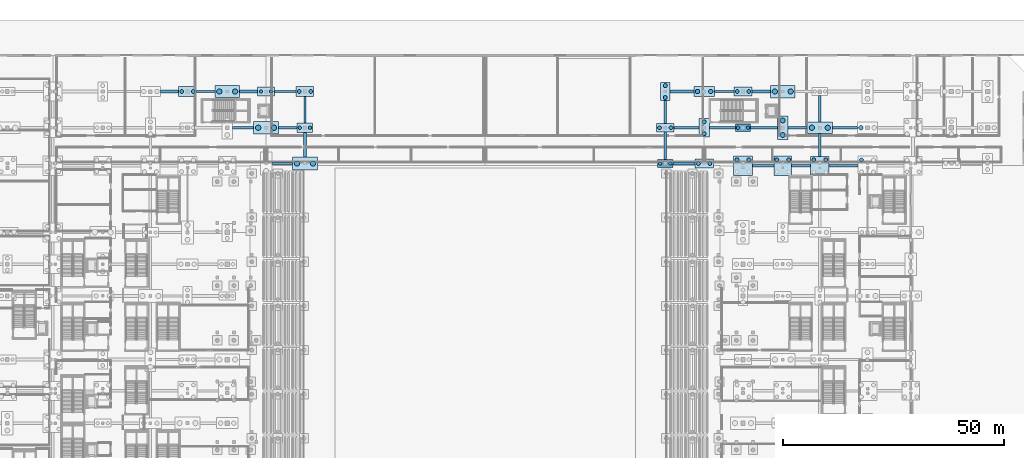
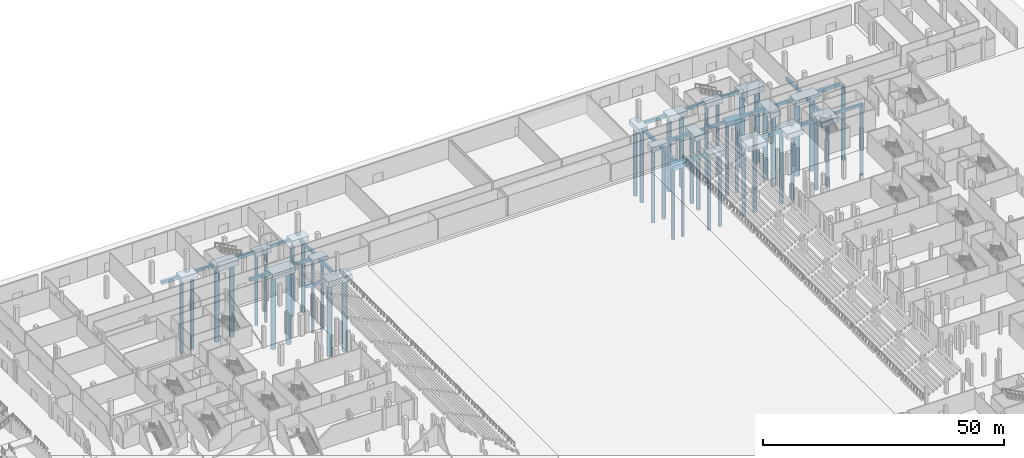
# One storey, part 13 of 89: 46 footings, 44 piles.
"""IFC4 building model written with IfcOpenShell, lengths in metres."""

from ifc_helpers import new_model, si_unit, direction, frame, origin, origin_2d, place, context, subcontext, project, spatial, rectangle, circle, extrude, material, material_profile, profile_set, type_object, element, save


model = new_model("IFC4")

# Units and contexts
model_context = context("Model", 3, precision=1e-05, world=origin(), true_north=direction((0.0, 1.0)))
body_context = subcontext(model_context, "Body", "Model", "MODEL_VIEW")
ifc_project = project(units=[si_unit("LENGTHUNIT", "METRE"), si_unit("AREAUNIT", "SQUARE_METRE"), si_unit("VOLUMEUNIT", "CUBIC_METRE"), si_unit("PLANEANGLEUNIT", "RADIAN"), si_unit("MASSUNIT", "GRAM", prefix="KILO")], contexts=[model_context])

# Site, building, storey
site_placement = place(None, origin())
site = spatial("IfcSite", under=ifc_project, at=site_placement, CompositionType="ELEMENT")
building_placement = place(site_placement, origin())
building = spatial("IfcBuilding", under=site, at=building_placement, Name="Koshinbarg Plaza Stadium", CompositionType="ELEMENT")
storey_placement = place(building_placement, origin())
storey = spatial("IfcBuildingStorey", under=building, at=storey_placement, Name="L00", CompositionType="ELEMENT", Elevation=0.0)

# Footings
ifc_material = material(Name="Concrete C35/45", Category="concrete")
ifc_material_profile_1 = material_profile(ifc_material, rectangle(XDim=0.5, YDim=0.699951171875, at=origin_2d()), Name="GB 500x700")
ifc_profile_set_1 = profile_set([ifc_material_profile_1], Name="Concrete C35/45")
footing_type_1 = type_object("IfcFootingType", Name="FT-GB-01", PredefinedType="FOOTING_BEAM", material=ifc_profile_set_1)
footing_1_placement = place(storey_placement, frame((182.56005859375, 127.0, -0.800048828125), z_axis=(1.0, 0.0, 0.0), x_axis=(0.0, 1.0, 0.0)))
element("IfcFooting", 1, at=footing_1_placement, inside=storey, type_object=footing_type_1, Name="Ground footing beam GB-X-151", PredefinedType="FOOTING_BEAM", context=body_context, shape_type="SweptSolid", body=[
    extrude(rectangle(XDim=0.5, YDim=0.699951171875, at=origin_2d()), origin(), (0.0, 0.0, 1.0), 4.83984375),
])
footing_2_placement = place(storey_placement, frame((199.919921875, 127.0, -0.800048828125), z_axis=(1.0, 0.0, 0.0), x_axis=(0.0, 1.0, 0.0)))
element("IfcFooting", 2, at=footing_2_placement, inside=storey, type_object=footing_type_1, Name="Ground footing beam GB-X-153", PredefinedType="FOOTING_BEAM", context=body_context, shape_type="SweptSolid", body=[
    extrude(rectangle(XDim=0.5, YDim=0.699951171875, at=origin_2d()), origin(), (0.0, 0.0, 1.0), 6.52001953125),
])
footing_3_placement = place(storey_placement, frame((73.679931640625, 127.5, -0.75), z_axis=(1.0, 0.0, 0.0), x_axis=(0.0, 1.0, 0.0)))
element("IfcFooting", 3, at=footing_3_placement, inside=storey, type_object=footing_type_1, Name="Ground footing beam GB-X-155", PredefinedType="FOOTING_BEAM", context=body_context, shape_type="SweptSolid", body=[
    extrude(rectangle(XDim=0.5, YDim=0.699951171875, at=origin_2d()), origin(), (0.0, 0.0, 1.0), 4.66015625),
])
footing_4_placement = place(storey_placement, frame((75.219970703125, 135.60009765625, -0.75), z_axis=(1.0, 0.0, 0.0), x_axis=(0.0, 1.0, 0.0)))
element("IfcFooting", 4, at=footing_4_placement, inside=storey, type_object=footing_type_1, Name="Ground footing beam GB-X-165", PredefinedType="FOOTING_BEAM", context=body_context, shape_type="SweptSolid", body=[
    extrude(rectangle(XDim=0.5, YDim=0.699951171875, at=origin_2d()), origin(), (0.0, 0.0, 1.0), 4.22998046875),
])
footing_5_placement = place(storey_placement, frame((172.760009765625, 135.60009765625, -0.75), z_axis=(1.0, 0.0, 0.0), x_axis=(0.0, 1.0, 0.0)))
element("IfcFooting", 5, at=footing_5_placement, inside=storey, type_object=footing_type_1, Name="Ground footing beam GB-X-167", PredefinedType="FOOTING_BEAM", context=body_context, shape_type="SweptSolid", body=[
    extrude(rectangle(XDim=0.5, YDim=0.699951171875, at=origin_2d()), origin(), (0.0, 0.0, 1.0), 5.889892578125),
])
footing_6_placement = place(storey_placement, frame((190.639892578125, 135.60009765625, -0.75), z_axis=(1.0, 0.0, 0.0), x_axis=(0.0, 1.0, 0.0)))
element("IfcFooting", 6, at=footing_6_placement, inside=storey, type_object=footing_type_1, Name="Ground footing beam GB-X-169", PredefinedType="FOOTING_BEAM", context=body_context, shape_type="SweptSolid", body=[
    extrude(rectangle(XDim=0.5, YDim=0.699951171875, at=origin_2d()), origin(), (0.0, 0.0, 1.0), 4.300048828125),
])
footing_7_placement = place(storey_placement, frame((56.590087890625, 143.800048828125, -0.75), z_axis=(1.0, 0.0, 0.0), x_axis=(0.0, 1.0, 0.0)))
element("IfcFooting", 7, at=footing_7_placement, inside=storey, type_object=footing_type_1, Name="Ground footing beam GB-X-179", PredefinedType="FOOTING_BEAM", context=body_context, shape_type="SweptSolid", body=[
    extrude(rectangle(XDim=0.5, YDim=0.699951171875, at=origin_2d()), origin(), (0.0, 0.0, 1.0), 4.22998046875),
])
footing_8_placement = place(storey_placement, frame((74.31005859375, 143.800048828125, -0.75), z_axis=(1.0, 0.0, 0.0), x_axis=(0.0, 1.0, 0.0)))
element("IfcFooting", 8, at=footing_8_placement, inside=storey, type_object=footing_type_1, Name="Ground footing beam GB-X-181", PredefinedType="FOOTING_BEAM", context=body_context, shape_type="SweptSolid", body=[
    extrude(rectangle(XDim=0.5, YDim=0.699951171875, at=origin_2d()), origin(), (0.0, 0.0, 1.0), 4.89990234375),
])
footing_9_placement = place(storey_placement, frame((173.89990234375, 143.800048828125, -0.75), z_axis=(1.0, 0.0, 0.0), x_axis=(0.0, 1.0, 0.0)))
element("IfcFooting", 9, at=footing_9_placement, inside=storey, type_object=footing_type_1, Name="Ground footing beam GB-X-183", PredefinedType="FOOTING_BEAM", context=body_context, shape_type="SweptSolid", body=[
    extrude(rectangle(XDim=0.5, YDim=0.699951171875, at=origin_2d()), origin(), (0.0, 0.0, 1.0), 4.510009765625),
])
footing_10_placement = place(storey_placement, frame((81.199951171875, 136.659912109375, -0.75), z_axis=(0.0, 1.0, 0.0), x_axis=(-1.0, 0.0, 0.0)))
element("IfcFooting", 10, at=footing_10_placement, inside=storey, type_object=footing_type_1, Name="Ground footing beam GB-Y-235", PredefinedType="FOOTING_BEAM", context=body_context, shape_type="SweptSolid", body=[
    extrude(rectangle(XDim=0.5, YDim=0.699951171875, at=origin_2d()), origin(), (0.0, 0.0, 1.0), 5.97998046875),
])
footing_11_placement = place(storey_placement, frame((162.800048828125, 128.39990234375, -0.75), z_axis=(0.0, 1.0, 0.0), x_axis=(-1.0, 0.0, 0.0)))
element("IfcFooting", 11, at=footing_11_placement, inside=storey, type_object=footing_type_1, Name="Ground footing beam GB-Y-239", PredefinedType="FOOTING_BEAM", context=body_context, shape_type="SweptSolid", body=[
    extrude(rectangle(XDim=0.5, YDim=0.699951171875, at=origin_2d()), origin(), (0.0, 0.0, 1.0), 6.2001953125),
])
footing_12_placement = place(storey_placement, frame((197.800048828125, 129.050048828125, -0.800048828125), z_axis=(0.0, 1.0, 0.0), x_axis=(-1.0, 0.0, 0.0)))
element("IfcFooting", 12, at=footing_12_placement, inside=storey, type_object=footing_type_1, Name="Ground footing beam GB-Y-251", PredefinedType="FOOTING_BEAM", context=body_context, shape_type="SweptSolid", body=[
    extrude(rectangle(XDim=0.5, YDim=0.699951171875, at=origin_2d()), origin(), (0.0, 0.0, 1.0), 5.25),
])
ifc_material_profile_2 = material_profile(ifc_material, rectangle(XDim=0.60009765625, YDim=0.800048828125, at=origin_2d()), Name="GB 600x800")
ifc_profile_set_2 = profile_set([ifc_material_profile_2], Name="Concrete C35/45")
footing_type_2 = type_object("IfcFootingType", Name="FT-GB-02", PredefinedType="FOOTING_BEAM", material=ifc_profile_set_2)
footing_13_placement = place(storey_placement, frame((191.39990234375, 127.0, -0.85009765625), z_axis=(1.0, 0.0, 0.0), x_axis=(0.0, 1.0, 0.0)))
element("IfcFooting", 13, at=footing_13_placement, inside=storey, type_object=footing_type_2, Name="Ground footing beam GB-X-152", PredefinedType="FOOTING_BEAM", context=body_context, shape_type="SweptSolid", body=[
    extrude(rectangle(XDim=0.60009765625, YDim=0.800048828125, at=origin_2d()), origin(), (0.0, 0.0, 1.0), 4.280029296875),
])
footing_14_placement = place(storey_placement, frame((164.590087890625, 127.5, -0.800048828125), z_axis=(1.0, 0.0, 0.0), x_axis=(0.0, 1.0, 0.0)))
element("IfcFooting", 14, at=footing_14_placement, inside=storey, type_object=footing_type_2, Name="Ground footing beam GB-X-156", PredefinedType="FOOTING_BEAM", context=body_context, shape_type="SweptSolid", body=[
    extrude(rectangle(XDim=0.60009765625, YDim=0.800048828125, at=origin_2d()), origin(), (0.0, 0.0, 1.0), 4.93994140625),
])
footing_15_placement = place(storey_placement, frame((64.840087890625, 135.60009765625, -0.800048828125), z_axis=(1.0, 0.0, 0.0), x_axis=(0.0, 1.0, 0.0)))
element("IfcFooting", 15, at=footing_15_placement, inside=storey, type_object=footing_type_2, Name="Ground footing beam GB-X-164", PredefinedType="FOOTING_BEAM", context=body_context, shape_type="SweptSolid", body=[
    extrude(rectangle(XDim=0.60009765625, YDim=0.800048828125, at=origin_2d()), origin(), (0.0, 0.0, 1.0), 4.739990234375),
])
footing_16_placement = place(storey_placement, frame((164.830078125, 135.60009765625, -0.800048828125), z_axis=(1.0, 0.0, 0.0), x_axis=(0.0, 1.0, 0.0)))
element("IfcFooting", 16, at=footing_16_placement, inside=storey, type_object=footing_type_2, Name="Ground footing beam GB-X-166", PredefinedType="FOOTING_BEAM", context=body_context, shape_type="SweptSolid", body=[
    extrude(rectangle(XDim=0.60009765625, YDim=0.800048828125, at=origin_2d()), origin(), (0.0, 0.0, 1.0), 5.60986328125),
])
footing_17_placement = place(storey_placement, frame((182.14990234375, 135.60009765625, -0.800048828125), z_axis=(1.0, 0.0, 0.0), x_axis=(0.0, 1.0, 0.0)))
element("IfcFooting", 17, at=footing_17_placement, inside=storey, type_object=footing_type_2, Name="Ground footing beam GB-X-168", PredefinedType="FOOTING_BEAM", context=body_context, shape_type="SweptSolid", body=[
    extrude(rectangle(XDim=0.60009765625, YDim=0.800048828125, at=origin_2d()), origin(), (0.0, 0.0, 1.0), 6.010009765625),
])
footing_18_placement = place(storey_placement, frame((200.659912109375, 135.60009765625, -0.800048828125), z_axis=(1.0, 0.0, 0.0), x_axis=(0.0, 1.0, 0.0)))
element("IfcFooting", 18, at=footing_18_placement, inside=storey, type_object=footing_type_2, Name="Ground footing beam GB-X-170", PredefinedType="FOOTING_BEAM", context=body_context, shape_type="SweptSolid", body=[
    extrude(rectangle(XDim=0.60009765625, YDim=0.800048828125, at=origin_2d()), origin(), (0.0, 0.0, 1.0), 5.64013671875),
])
for number, where, z_axis, x_axis, name in (
    (19, (48.5, 143.800048828125, -0.800048828125), (1.0, 0.0, 0.0), (0.0, 1.0, 0.0), "Ground footing beam GB-X-178"),
    (20, (66.3798828125, 143.800048828125, -0.800048828125), (1.0, 0.0, 0.0), (0.0, 1.0, 0.0), "Ground footing beam GB-X-180"),
):
    element("IfcFooting", number, at=place(storey_placement, frame(where, z_axis=z_axis, x_axis=x_axis)), inside=storey, type_object=footing_type_2, Name=name, PredefinedType="FOOTING_BEAM", context=body_context, shape_type="SweptSolid", body=[
        extrude(rectangle(XDim=0.60009765625, YDim=0.800048828125, at=origin_2d()), origin(), (0.0, 0.0, 1.0), 4.110107421875),
    ])
footing_19_placement = place(storey_placement, frame((163.919921875, 143.800048828125, -0.800048828125), z_axis=(1.0, 0.0, 0.0), x_axis=(0.0, 1.0, 0.0)))
element("IfcFooting", 21, at=footing_19_placement, inside=storey, type_object=footing_type_2, Name="Ground footing beam GB-X-182", PredefinedType="FOOTING_BEAM", context=body_context, shape_type="SweptSolid", body=[
    extrude(rectangle(XDim=0.60009765625, YDim=0.800048828125, at=origin_2d()), origin(), (0.0, 0.0, 1.0), 5.380126953125),
])
footing_20_placement = place(storey_placement, frame((182.389892578125, 143.800048828125, -0.800048828125), z_axis=(1.0, 0.0, 0.0), x_axis=(0.0, 1.0, 0.0)))
element("IfcFooting", 22, at=footing_20_placement, inside=storey, type_object=footing_type_2, Name="Ground footing beam GB-X-184", PredefinedType="FOOTING_BEAM", context=body_context, shape_type="SweptSolid", body=[
    extrude(rectangle(XDim=0.60009765625, YDim=0.800048828125, at=origin_2d()), origin(), (0.0, 0.0, 1.0), 4.230224609375),
])
footing_21_placement = place(storey_placement, frame((81.199951171875, 128.919921875, -0.800048828125), z_axis=(0.0, 1.0, 0.0), x_axis=(-1.0, 0.0, 0.0)))
element("IfcFooting", 23, at=footing_21_placement, inside=storey, type_object=footing_type_2, Name="Ground footing beam GB-Y-234", PredefinedType="FOOTING_BEAM", context=body_context, shape_type="SweptSolid", body=[
    extrude(rectangle(XDim=0.60009765625, YDim=0.800048828125, at=origin_2d()), origin(), (0.0, 0.0, 1.0), 5.6201171875),
])
footing_22_placement = place(storey_placement, frame((162.800048828125, 136.60009765625, -0.800048828125), z_axis=(0.0, 1.0, 0.0), x_axis=(-1.0, 0.0, 0.0)))
element("IfcFooting", 24, at=footing_22_placement, inside=storey, type_object=footing_type_2, Name="Ground footing beam GB-Y-240", PredefinedType="FOOTING_BEAM", context=body_context, shape_type="SweptSolid", body=[
    extrude(rectangle(XDim=0.60009765625, YDim=0.800048828125, at=origin_2d()), origin(), (0.0, 0.0, 1.0), 5.14990234375),
])
footing_23_placement = place(storey_placement, frame((197.800048828125, 136.89990234375, -0.800048828125), z_axis=(0.0, 1.0, 0.0), x_axis=(-1.0, 0.0, 0.0)))
element("IfcFooting", 25, at=footing_23_placement, inside=storey, type_object=footing_type_2, Name="Ground footing beam GB-Y-252", PredefinedType="FOOTING_BEAM", context=body_context, shape_type="SweptSolid", body=[
    extrude(rectangle(XDim=0.60009765625, YDim=0.800048828125, at=origin_2d()), origin(), (0.0, 0.0, 1.0), 5.960205078125),
])
footing_type_3 = type_object("IfcFootingType", Name="FT-PC-224x410x125", PredefinedType="PILE_CAP", material=ifc_material)
footing_24_placement = place(storey_placement, frame((162.800048828125, 143.800048828125, -1.64990234375), z_axis=(0.0, 0.0, 1.0), x_axis=(1.0, 0.0, 0.0)))
element("IfcFooting", 26, at=footing_24_placement, inside=storey, type_object=footing_type_3, Name="Bored pile cap CAP-129", PredefinedType="PILE_CAP", context=body_context, shape_type="SweptSolid", body=[
    extrude(rectangle(XDim=2.239990234375, YDim=4.10009765625, at=origin_2d()), origin(), (0.0, 0.0, 1.0), 1.25),
])
footing_type_4 = type_object("IfcFootingType", Name="FT-PC-232x418x125", PredefinedType="PILE_CAP", material=ifc_material)
footing_25_placement = place(storey_placement, frame((171.60009765625, 135.60009765625, -1.64990234375), z_axis=(0.0, 0.0, 1.0), x_axis=(1.0, 0.0, 0.0)))
element("IfcFooting", 27, at=footing_25_placement, inside=storey, type_object=footing_type_4, Name="Bored pile cap CAP-135", PredefinedType="PILE_CAP", context=body_context, shape_type="SweptSolid", body=[
    extrude(rectangle(XDim=2.320068359375, YDim=4.179931640625, at=origin_2d()), origin(), (0.0, 0.0, 1.0), 1.25),
])
footing_type_5 = type_object("IfcFootingType", Name="FT-PC-248x524x135", PredefinedType="PILE_CAP", material=ifc_material)
footing_26_placement = place(storey_placement, frame((189.39990234375, 135.60009765625, -1.75), z_axis=(0.0, 0.0, 1.0), x_axis=(1.0, 0.0, 0.0)))
element("IfcFooting", 28, at=footing_26_placement, inside=storey, type_object=footing_type_5, Name="Bored pile cap CAP-167", PredefinedType="PILE_CAP", context=body_context, shape_type="SweptSolid", body=[
    extrude(rectangle(XDim=2.47998046875, YDim=5.239990234375, at=origin_2d()), origin(), (0.0, 0.0, 1.0), 1.35009765625),
])
footing_type_6 = type_object("IfcFootingType", Name="FT-PC-350x180x120", PredefinedType="PILE_CAP", material=ifc_material)
footing_27_placement = place(storey_placement, frame((180.39990234375, 135.60009765625, -1.60009765625), z_axis=(0.0, 0.0, 1.0), x_axis=(1.0, 0.0, 0.0)))
element("IfcFooting", 29, at=footing_27_placement, inside=storey, type_object=footing_type_6, Name="Bored pile cap CAP-151", PredefinedType="PILE_CAP", context=body_context, shape_type="SweptSolid", body=[
    extrude(rectangle(XDim=3.5, YDim=1.800048828125, at=origin_2d()), origin(), (0.0, 0.0, 1.0), 1.199951171875),
])
footing_type_7 = type_object("IfcFootingType", Name="FT-PC-350x212x120", PredefinedType="PILE_CAP", material=ifc_material)
footing_28_placement = place(storey_placement, frame((81.199951171875, 135.60009765625, -1.60009765625), z_axis=(0.0, 0.0, 1.0), x_axis=(1.0, 0.0, 0.0)))
element("IfcFooting", 30, at=footing_28_placement, inside=storey, type_object=footing_type_7, Name="Bored pile cap CAP-121", PredefinedType="PILE_CAP", context=body_context, shape_type="SweptSolid", body=[
    extrude(rectangle(XDim=3.5, YDim=2.1201171875, at=origin_2d()), origin(), (0.0, 0.0, 1.0), 1.199951171875),
])
footing_type_8 = type_object("IfcFootingType", Name="FT-PC-358x180x120", PredefinedType="PILE_CAP", material=ifc_material)
footing_29_placement = place(storey_placement, frame((162.800048828125, 127.5, -1.60009765625), z_axis=(0.0, 0.0, 1.0), x_axis=(1.0, 0.0, 0.0)))
element("IfcFooting", 31, at=footing_29_placement, inside=storey, type_object=footing_type_8, Name="Bored pile cap CAP-127", PredefinedType="PILE_CAP", context=body_context, shape_type="SweptSolid", body=[
    extrude(rectangle(XDim=3.580078125, YDim=1.800048828125, at=origin_2d()), origin(), (0.0, 0.0, 1.0), 1.199951171875),
])
footing_type_9 = type_object("IfcFootingType", Name="FT-PC-382x196x120", PredefinedType="PILE_CAP", material=ifc_material)
footing_30_placement = place(storey_placement, frame((72.39990234375, 143.800048828125, -1.60009765625), z_axis=(0.0, 0.0, 1.0), x_axis=(1.0, 0.0, 0.0)))
element("IfcFooting", 32, at=footing_30_placement, inside=storey, type_object=footing_type_9, Name="Bored pile cap CAP-115", PredefinedType="PILE_CAP", context=body_context, shape_type="SweptSolid", body=[
    extrude(rectangle(XDim=3.820068359375, YDim=1.9599609375, at=origin_2d()), origin(), (0.0, 0.0, 1.0), 1.199951171875),
])
footing_type_10 = type_object("IfcFootingType", Name="FT-PC-398x200x125", PredefinedType="PILE_CAP", material=ifc_material)
footing_31_placement = place(storey_placement, frame((180.39990234375, 143.800048828125, -1.64990234375), z_axis=(0.0, 0.0, 1.0), x_axis=(1.0, 0.0, 0.0)))
element("IfcFooting", 33, at=footing_31_placement, inside=storey, type_object=footing_type_10, Name="Bored pile cap CAP-152", PredefinedType="PILE_CAP", context=body_context, shape_type="SweptSolid", body=[
    extrude(rectangle(XDim=3.97998046875, YDim=2.0, at=origin_2d()), origin(), (0.0, 0.0, 1.0), 1.25),
])
footing_type_11 = type_object("IfcFootingType", Name="FT-PC-398x224x125", PredefinedType="PILE_CAP", material=ifc_material)
footing_32_placement = place(storey_placement, frame((54.60009765625, 143.800048828125, -1.64990234375), z_axis=(0.0, 0.0, 1.0), x_axis=(1.0, 0.0, 0.0)))
element("IfcFooting", 34, at=footing_32_placement, inside=storey, type_object=footing_type_11, Name="Bored pile cap CAP-092", PredefinedType="PILE_CAP", context=body_context, shape_type="SweptSolid", body=[
    extrude(rectangle(XDim=3.97998046875, YDim=2.239990234375, at=origin_2d()), origin(), (0.0, 0.0, 1.0), 1.25),
])
footing_type_12 = type_object("IfcFootingType", Name="FT-PC-398x232x125", PredefinedType="PILE_CAP", material=ifc_material)
footing_33_placement = place(storey_placement, frame((81.199951171875, 143.800048828125, -1.64990234375), z_axis=(0.0, 0.0, 1.0), x_axis=(1.0, 0.0, 0.0)))
element("IfcFooting", 35, at=footing_33_placement, inside=storey, type_object=footing_type_12, Name="Bored pile cap CAP-122", PredefinedType="PILE_CAP", context=body_context, shape_type="SweptSolid", body=[
    extrude(rectangle(XDim=3.97998046875, YDim=2.320068359375, at=origin_2d()), origin(), (0.0, 0.0, 1.0), 1.25),
])
footing_type_13 = type_object("IfcFootingType", Name="FT-PC-400x434x135", PredefinedType="PILE_CAP", material=ifc_material)
footing_34_placement = place(storey_placement, frame((189.39990234375, 127.0, -1.800048828125), z_axis=(0.0, 0.0, 1.0), x_axis=(1.0, 0.0, 0.0)))
element("IfcFooting", 36, at=footing_34_placement, inside=storey, type_object=footing_type_13, Name="Bored pile cap CAP-166", PredefinedType="PILE_CAP", context=body_context, shape_type="SweptSolid", body=[
    extrude(rectangle(XDim=4.0, YDim=4.340087890625, at=origin_2d()), origin(), (0.0, 0.0, 1.0), 1.35009765625),
])
footing_type_14 = type_object("IfcFootingType", Name="FT-PC-406x200x125", PredefinedType="PILE_CAP", material=ifc_material)
footing_35_placement = place(storey_placement, frame((162.800048828125, 135.60009765625, -1.64990234375), z_axis=(0.0, 0.0, 1.0), x_axis=(1.0, 0.0, 0.0)))
element("IfcFooting", 37, at=footing_35_placement, inside=storey, type_object=footing_type_14, Name="Bored pile cap CAP-128", PredefinedType="PILE_CAP", context=body_context, shape_type="SweptSolid", body=[
    extrude(rectangle(XDim=4.06005859375, YDim=2.0, at=origin_2d()), origin(), (0.0, 0.0, 1.0), 1.25),
])
footing_type_15 = type_object("IfcFootingType", Name="FT-PC-414x208x125", PredefinedType="PILE_CAP", material=ifc_material)
footing_36_placement = place(storey_placement, frame((171.60009765625, 127.5, -1.64990234375), z_axis=(0.0, 0.0, 1.0), x_axis=(1.0, 0.0, 0.0)))
element("IfcFooting", 38, at=footing_36_placement, inside=storey, type_object=footing_type_15, Name="Bored pile cap CAP-134", PredefinedType="PILE_CAP", context=body_context, shape_type="SweptSolid", body=[
    extrude(rectangle(XDim=4.139892578125, YDim=2.080078125, at=origin_2d()), origin(), (0.0, 0.0, 1.0), 1.25),
])
footing_type_16 = type_object("IfcFootingType", Name="FT-PC-424x410x130", PredefinedType="PILE_CAP", material=ifc_material)
footing_37_placement = place(storey_placement, frame((197.800048828125, 127.0, -1.75), z_axis=(0.0, 0.0, 1.0), x_axis=(1.0, 0.0, 0.0)))
element("IfcFooting", 39, at=footing_37_placement, inside=storey, type_object=footing_type_16, Name="Bored pile cap CAP-179", PredefinedType="PILE_CAP", context=body_context, shape_type="SweptSolid", body=[
    extrude(rectangle(XDim=4.239990234375, YDim=4.10009765625, at=origin_2d()), origin(), (0.0, 0.0, 1.0), 1.300048828125),
])
footing_type_17 = type_object("IfcFootingType", Name="FT-PC-432x442x130", PredefinedType="PILE_CAP", material=ifc_material)
footing_38_placement = place(storey_placement, frame((180.39990234375, 127.0, -1.75), z_axis=(0.0, 0.0, 1.0), x_axis=(1.0, 0.0, 0.0)))
element("IfcFooting", 40, at=footing_38_placement, inside=storey, type_object=footing_type_17, Name="Bored pile cap CAP-150", PredefinedType="PILE_CAP", context=body_context, shape_type="SweptSolid", body=[
    extrude(rectangle(XDim=4.320068359375, YDim=4.419921875, at=origin_2d()), origin(), (0.0, 0.0, 1.0), 1.300048828125),
])
footing_type_18 = type_object("IfcFootingType", Name="FT-PC-460x236x130", PredefinedType="PILE_CAP", material=ifc_material)
footing_39_placement = place(storey_placement, frame((171.60009765625, 143.800048828125, -1.7001953125), z_axis=(0.0, 0.0, 1.0), x_axis=(1.0, 0.0, 0.0)))
element("IfcFooting", 41, at=footing_39_placement, inside=storey, type_object=footing_type_18, Name="Bored pile cap CAP-136", PredefinedType="PILE_CAP", context=body_context, shape_type="SweptSolid", body=[
    extrude(rectangle(XDim=4.60009765625, YDim=2.360107421875, at=origin_2d()), origin(), (0.0, 0.0, 1.0), 1.300048828125),
])
footing_type_19 = type_object("IfcFootingType", Name="FT-PC-556x268x140", PredefinedType="PILE_CAP", material=ifc_material)
footing_40_placement = place(storey_placement, frame((63.60009765625, 143.800048828125, -1.800048828125), z_axis=(0.0, 0.0, 1.0), x_axis=(1.0, 0.0, 0.0)))
element("IfcFooting", 42, at=footing_40_placement, inside=storey, type_object=footing_type_19, Name="Bored pile cap CAP-108", PredefinedType="PILE_CAP", context=body_context, shape_type="SweptSolid", body=[
    extrude(rectangle(XDim=5.56005859375, YDim=2.679931640625, at=origin_2d()), origin(), (0.0, 0.0, 1.0), 1.39990234375),
])
footing_type_20 = type_object("IfcFootingType", Name="FT-PC-556x284x140", PredefinedType="PILE_CAP", material=ifc_material)
footing_41_placement = place(storey_placement, frame((189.39990234375, 143.800048828125, -1.800048828125), z_axis=(0.0, 0.0, 1.0), x_axis=(1.0, 0.0, 0.0)))
element("IfcFooting", 43, at=footing_41_placement, inside=storey, type_object=footing_type_20, Name="Bored pile cap CAP-168", PredefinedType="PILE_CAP", context=body_context, shape_type="SweptSolid", body=[
    extrude(rectangle(XDim=5.56005859375, YDim=2.840087890625, at=origin_2d()), origin(), (0.0, 0.0, 1.0), 1.39990234375),
])
footing_type_21 = type_object("IfcFootingType", Name="FT-PC-564x276x140", PredefinedType="PILE_CAP", material=ifc_material)
footing_42_placement = place(storey_placement, frame((72.39990234375, 135.60009765625, -1.800048828125), z_axis=(0.0, 0.0, 1.0), x_axis=(1.0, 0.0, 0.0)))
element("IfcFooting", 44, at=footing_42_placement, inside=storey, type_object=footing_type_21, Name="Bored pile cap CAP-114", PredefinedType="PILE_CAP", context=body_context, shape_type="SweptSolid", body=[
    extrude(rectangle(XDim=5.639892578125, YDim=2.760009765625, at=origin_2d()), origin(), (0.0, 0.0, 1.0), 1.39990234375),
])
footing_type_22 = type_object("IfcFootingType", Name="FT-PC-572x260x140", PredefinedType="PILE_CAP", material=ifc_material)
footing_43_placement = place(storey_placement, frame((197.800048828125, 135.60009765625, -1.800048828125), z_axis=(0.0, 0.0, 1.0), x_axis=(1.0, 0.0, 0.0)))
element("IfcFooting", 45, at=footing_43_placement, inside=storey, type_object=footing_type_22, Name="Bored pile cap CAP-180", PredefinedType="PILE_CAP", context=body_context, shape_type="SweptSolid", body=[
    extrude(rectangle(XDim=5.719970703125, YDim=2.60009765625, at=origin_2d()), origin(), (0.0, 0.0, 1.0), 1.39990234375),
])
footing_type_23 = type_object("IfcFootingType", Name="FT-PC-572x284x140", PredefinedType="PILE_CAP", material=ifc_material)
footing_44_placement = place(storey_placement, frame((81.199951171875, 127.5, -1.800048828125), z_axis=(0.0, 0.0, 1.0), x_axis=(1.0, 0.0, 0.0)))
element("IfcFooting", 46, at=footing_44_placement, inside=storey, type_object=footing_type_23, Name="Bored pile cap CAP-120", PredefinedType="PILE_CAP", context=body_context, shape_type="SweptSolid", body=[
    extrude(rectangle(XDim=5.719970703125, YDim=2.840087890625, at=origin_2d()), origin(), (0.0, 0.0, 1.0), 1.39990234375),
])

# Piles
ifc_material_profile_3 = material_profile(ifc_material, circle(Radius=0.5, at=origin_2d()), Name="PILE D1000")
ifc_profile_set_3 = profile_set([ifc_material_profile_3], Name="Concrete C35/45")
pile_type_1 = type_object("IfcPileType", Name="PL-D1000", PredefinedType="BORED", material=ifc_profile_set_3)
for number, where, z_axis, x_axis, name in (
    (47, (170.10009765625, 143.800048828125, -1.60009765625), (0.0, 0.0, -1.0), (1.0, 0.0, 0.0), "Bored pile CAP-136-1"),
    (48, (173.10009765625, 143.800048828125, -1.60009765625), (0.0, 0.0, -1.0), (1.0, 0.0, 0.0), "Bored pile CAP-136-2"),
    (49, (207.10009765625, 135.60009765625, -1.60009765625), (0.0, 0.0, -1.0), (1.0, 0.0, 0.0), "Bored pile CAP-196-1"),
):
    element("IfcPile", number, at=place(storey_placement, frame(where, z_axis=z_axis, x_axis=x_axis)), inside=storey, type_object=pile_type_1, Name=name, PredefinedType="BORED", context=body_context, shape_type="SweptSolid", body=[
        extrude(circle(Radius=0.5, at=origin_2d()), origin(), (0.0, 0.0, 1.0), 18.5),
    ])
ifc_material_profile_4 = material_profile(ifc_material, circle(Radius=0.550048828125, at=origin_2d()), Name="PILE D1100")
ifc_profile_set_4 = profile_set([ifc_material_profile_4], Name="Concrete C35/45")
pile_type_2 = type_object("IfcPileType", Name="PL-D1100", PredefinedType="BORED", material=ifc_profile_set_4)
for number, where, z_axis, x_axis, name in (
    (50, (189.39990234375, 133.949951171875, -1.64990234375), (0.0, 0.0, -1.0), (1.0, 0.0, 0.0), "Bored pile CAP-167-1"),
    (51, (189.39990234375, 137.25, -1.64990234375), (0.0, 0.0, -1.0), (1.0, 0.0, 0.0), "Bored pile CAP-167-2"),
):
    element("IfcPile", number, at=place(storey_placement, frame(where, z_axis=z_axis, x_axis=x_axis)), inside=storey, type_object=pile_type_2, Name=name, PredefinedType="BORED", context=body_context, shape_type="SweptSolid", body=[
        extrude(circle(Radius=0.550048828125, at=origin_2d()), origin(), (0.0, 0.0, 1.0), 18.0),
    ])
ifc_material_profile_5 = material_profile(ifc_material, circle(Radius=0.60009765625, at=origin_2d()), Name="PILE D1200")
ifc_profile_set_5 = profile_set([ifc_material_profile_5], Name="Concrete C35/45")
pile_type_3 = type_object("IfcPileType", Name="PL-D1200", PredefinedType="BORED", material=ifc_profile_set_5)
for number, where, z_axis, x_axis, name in (
    (52, (61.800048828125, 143.800048828125, -1.699951171875), (0.0, 0.0, -1.0), (1.0, 0.0, 0.0), "Bored pile CAP-108-1"),
    (53, (65.39990234375, 143.800048828125, -1.699951171875), (0.0, 0.0, -1.0), (1.0, 0.0, 0.0), "Bored pile CAP-108-2"),
    (54, (70.60009765625, 135.60009765625, -1.699951171875), (0.0, 0.0, -1.0), (1.0, 0.0, 0.0), "Bored pile CAP-114-1"),
    (55, (74.199951171875, 135.60009765625, -1.699951171875), (0.0, 0.0, -1.0), (1.0, 0.0, 0.0), "Bored pile CAP-114-2"),
    (56, (79.39990234375, 127.5, -1.699951171875), (0.0, 0.0, -1.0), (1.0, 0.0, 0.0), "Bored pile CAP-120-1"),
    (57, (83.0, 127.5, -1.699951171875), (0.0, 0.0, -1.0), (1.0, 0.0, 0.0), "Bored pile CAP-120-2"),
    (58, (187.60009765625, 143.800048828125, -1.699951171875), (0.0, 0.0, -1.0), (1.0, 0.0, 0.0), "Bored pile CAP-168-1"),
    (59, (191.199951171875, 143.800048828125, -1.699951171875), (0.0, 0.0, -1.0), (1.0, 0.0, 0.0), "Bored pile CAP-168-2"),
    (60, (196.0, 135.60009765625, -1.699951171875), (0.0, 0.0, -1.0), (1.0, 0.0, 0.0), "Bored pile CAP-180-1"),
    (61, (199.60009765625, 135.60009765625, -1.699951171875), (0.0, 0.0, -1.0), (1.0, 0.0, 0.0), "Bored pile CAP-180-2"),
):
    element("IfcPile", number, at=place(storey_placement, frame(where, z_axis=z_axis, x_axis=x_axis)), inside=storey, type_object=pile_type_3, Name=name, PredefinedType="BORED", context=body_context, shape_type="SweptSolid", body=[
        extrude(circle(Radius=0.60009765625, at=origin_2d()), origin(), (0.0, 0.0, 1.0), 18.5),
    ])
ifc_material_profile_6 = material_profile(ifc_material, circle(Radius=0.375, at=origin_2d()), Name="PILE D750")
ifc_profile_set_6 = profile_set([ifc_material_profile_6], Name="Concrete C35/45")
pile_type_4 = type_object("IfcPileType", Name="PL-D750", PredefinedType="BORED", material=ifc_profile_set_6)
for number, where, z_axis, x_axis, name in (
    (62, (71.25, 143.800048828125, -1.5), (0.0, 0.0, -1.0), (1.0, 0.0, 0.0), "Bored pile CAP-115-1"),
    (63, (73.550048828125, 143.800048828125, -1.5), (0.0, 0.0, -1.0), (1.0, 0.0, 0.0), "Bored pile CAP-115-2"),
    (64, (80.050048828125, 135.60009765625, -1.5), (0.0, 0.0, -1.0), (1.0, 0.0, 0.0), "Bored pile CAP-121-1"),
    (65, (82.35009765625, 135.60009765625, -1.5), (0.0, 0.0, -1.0), (1.0, 0.0, 0.0), "Bored pile CAP-121-2"),
    (66, (161.64990234375, 127.5, -1.5), (0.0, 0.0, -1.0), (1.0, 0.0, 0.0), "Bored pile CAP-127-1"),
    (67, (163.949951171875, 127.5, -1.5), (0.0, 0.0, -1.0), (1.0, 0.0, 0.0), "Bored pile CAP-127-2"),
    (68, (179.25, 135.60009765625, -1.5), (0.0, 0.0, -1.0), (1.0, 0.0, 0.0), "Bored pile CAP-151-1"),
    (69, (181.550048828125, 135.60009765625, -1.5), (0.0, 0.0, -1.0), (1.0, 0.0, 0.0), "Bored pile CAP-151-2"),
):
    element("IfcPile", number, at=place(storey_placement, frame(where, z_axis=z_axis, x_axis=x_axis)), inside=storey, type_object=pile_type_4, Name=name, PredefinedType="BORED", context=body_context, shape_type="SweptSolid", body=[
        extrude(circle(Radius=0.375, at=origin_2d()), origin(), (0.0, 0.0, 1.0), 18.0),
    ])
ifc_material_profile_7 = material_profile(ifc_material, circle(Radius=0.425048828125, at=origin_2d()), Name="PILE D850")
ifc_profile_set_7 = profile_set([ifc_material_profile_7], Name="Concrete C35/45")
pile_type_5 = type_object("IfcPileType", Name="PL-D850", PredefinedType="BORED", material=ifc_profile_set_7)
for number, where, z_axis, x_axis, name in (
    (70, (53.300048828125, 143.800048828125, -1.550048828125), (0.0, 0.0, -1.0), (1.0, 0.0, 0.0), "Bored pile CAP-092-1"),
    (71, (55.89990234375, 143.800048828125, -1.550048828125), (0.0, 0.0, -1.0), (1.0, 0.0, 0.0), "Bored pile CAP-092-2"),
    (72, (79.89990234375, 143.800048828125, -1.550048828125), (0.0, 0.0, -1.0), (1.0, 0.0, 0.0), "Bored pile CAP-122-1"),
    (73, (82.5, 143.800048828125, -1.550048828125), (0.0, 0.0, -1.0), (1.0, 0.0, 0.0), "Bored pile CAP-122-2"),
    (74, (161.5, 135.60009765625, -1.550048828125), (0.0, 0.0, -1.0), (1.0, 0.0, 0.0), "Bored pile CAP-128-1"),
    (75, (164.10009765625, 135.60009765625, -1.550048828125), (0.0, 0.0, -1.0), (1.0, 0.0, 0.0), "Bored pile CAP-128-2"),
    (76, (170.300048828125, 127.5, -1.550048828125), (0.0, 0.0, -1.0), (1.0, 0.0, 0.0), "Bored pile CAP-134-1"),
    (77, (172.89990234375, 127.5, -1.550048828125), (0.0, 0.0, -1.0), (1.0, 0.0, 0.0), "Bored pile CAP-134-2"),
    (78, (179.10009765625, 143.800048828125, -1.550048828125), (0.0, 0.0, -1.0), (1.0, 0.0, 0.0), "Bored pile CAP-152-1"),
    (79, (181.699951171875, 143.800048828125, -1.550048828125), (0.0, 0.0, -1.0), (1.0, 0.0, 0.0), "Bored pile CAP-152-2"),
):
    element("IfcPile", number, at=place(storey_placement, frame(where, z_axis=z_axis, x_axis=x_axis)), inside=storey, type_object=pile_type_5, Name=name, PredefinedType="BORED", context=body_context, shape_type="SweptSolid", body=[
        extrude(circle(Radius=0.425048828125, at=origin_2d()), origin(), (0.0, 0.0, 1.0), 18.5),
    ])
for number, where, z_axis, x_axis, name in (
    (80, (196.449951171875, 128.35009765625, -1.64990234375), (0.0, 0.0, -1.0), (1.0, 0.0, 0.0), "Bored pile CAP-179-3"),
    (81, (199.14990234375, 128.35009765625, -1.64990234375), (0.0, 0.0, -1.0), (1.0, 0.0, 0.0), "Bored pile CAP-179-4"),
    (82, (207.25, 128.35009765625, -1.64990234375), (0.0, 0.0, -1.0), (1.0, 0.0, 0.0), "Bored pile CAP-195-3"),
):
    element("IfcPile", number, at=place(storey_placement, frame(where, z_axis=z_axis, x_axis=x_axis)), inside=storey, type_object=pile_type_5, Name=name, PredefinedType="BORED", context=body_context, shape_type="SweptSolid", body=[
        extrude(circle(Radius=0.425048828125, at=origin_2d()), origin(), (0.0, 0.0, 1.0), 18.0),
    ])
ifc_material_profile_8 = material_profile(ifc_material, circle(Radius=0.449951171875, at=origin_2d()), Name="PILE D900")
ifc_profile_set_8 = profile_set([ifc_material_profile_8], Name="Concrete C35/45")
pile_type_6 = type_object("IfcPileType", Name="PL-D900", PredefinedType="BORED", material=ifc_profile_set_8)
for number, where, z_axis, x_axis, name in (
    (83, (162.800048828125, 142.449951171875, -1.550048828125), (0.0, 0.0, -1.0), (1.0, 0.0, 0.0), "Bored pile CAP-129-1"),
    (84, (162.800048828125, 145.14990234375, -1.550048828125), (0.0, 0.0, -1.0), (1.0, 0.0, 0.0), "Bored pile CAP-129-2"),
    (85, (171.60009765625, 134.25, -1.550048828125), (0.0, 0.0, -1.0), (1.0, 0.0, 0.0), "Bored pile CAP-135-1"),
    (86, (171.60009765625, 136.949951171875, -1.550048828125), (0.0, 0.0, -1.0), (1.0, 0.0, 0.0), "Bored pile CAP-135-2"),
):
    element("IfcPile", number, at=place(storey_placement, frame(where, z_axis=z_axis, x_axis=x_axis)), inside=storey, type_object=pile_type_6, Name=name, PredefinedType="BORED", context=body_context, shape_type="SweptSolid", body=[
        extrude(circle(Radius=0.449951171875, at=origin_2d()), origin(), (0.0, 0.0, 1.0), 18.0),
    ])
for number, where, z_axis, x_axis, name in (
    (87, (179.050048828125, 128.35009765625, -1.64990234375), (0.0, 0.0, -1.0), (1.0, 0.0, 0.0), "Bored pile CAP-150-3"),
    (88, (181.75, 128.35009765625, -1.64990234375), (0.0, 0.0, -1.0), (1.0, 0.0, 0.0), "Bored pile CAP-150-4"),
    (89, (188.050048828125, 128.35009765625, -1.699951171875), (0.0, 0.0, -1.0), (1.0, 0.0, 0.0), "Bored pile CAP-166-3"),
    (90, (190.75, 128.35009765625, -1.699951171875), (0.0, 0.0, -1.0), (1.0, 0.0, 0.0), "Bored pile CAP-166-4"),
):
    element("IfcPile", number, at=place(storey_placement, frame(where, z_axis=z_axis, x_axis=x_axis)), inside=storey, type_object=pile_type_6, Name=name, PredefinedType="BORED", context=body_context, shape_type="SweptSolid", body=[
        extrude(circle(Radius=0.449951171875, at=origin_2d()), origin(), (0.0, 0.0, 1.0), 18.5),
    ])

save(model, "model.ifc")
